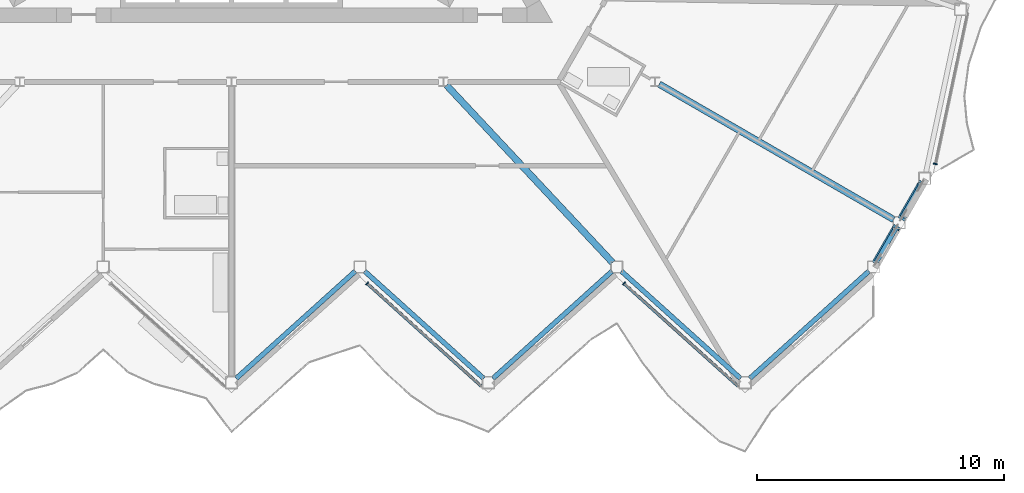
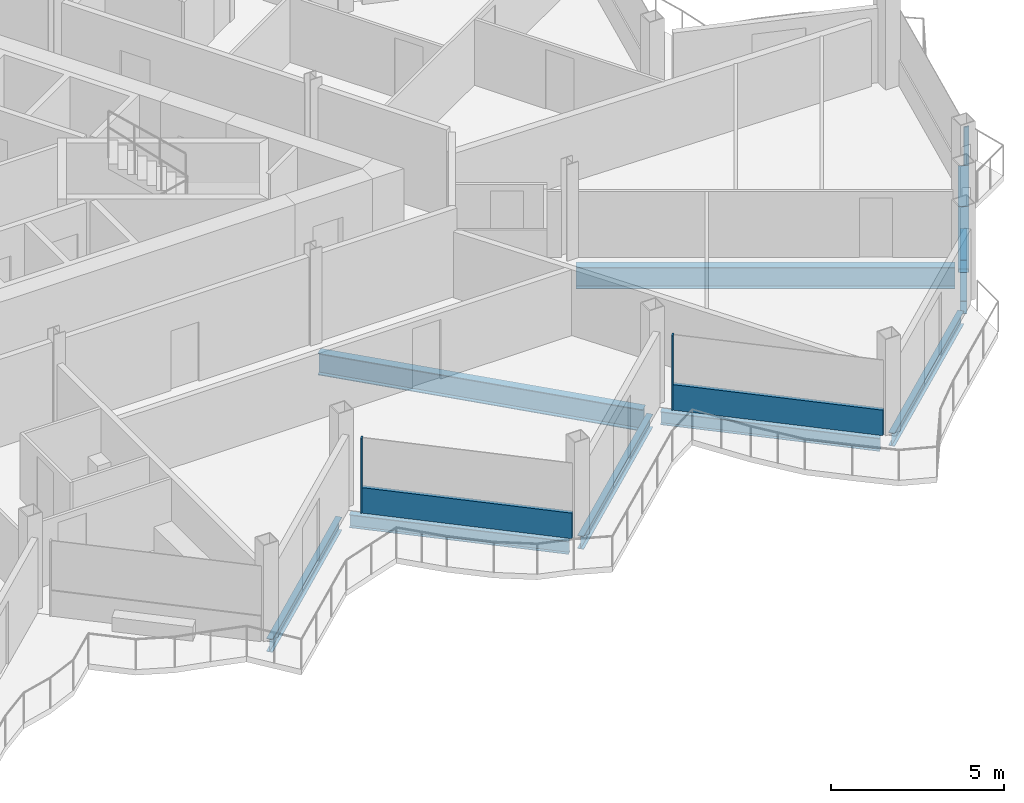
# One storey, part 7 of 26: 9 beams, 7 members, 3 elements without a shape of their own.
"""IFC4 building model written with IfcOpenShell, lengths in metres."""

from ifc_helpers import new_model, si_unit, direction, frame, origin, origin_2d, place, context, subcontext, project, spatial, rectangle, hollow_rectangle, i_section, extrude, material, layer, layer_set, material_profile, profile_set, type_object, element, aggregate, save


model = new_model("IFC4")

# Units and contexts
model_context = context("Model", 3, precision=1e-05, world=origin(), true_north=direction((0.0, 1.0)))
body_context = subcontext(model_context, "Body", "Model", "MODEL_VIEW")
ifc_project = project(units=[si_unit("LENGTHUNIT", "METRE"), si_unit("AREAUNIT", "SQUARE_METRE"), si_unit("VOLUMEUNIT", "CUBIC_METRE"), si_unit("PLANEANGLEUNIT", "RADIAN"), si_unit("MASSUNIT", "GRAM", prefix="KILO")], contexts=[model_context])

# Site, building, storey
site_placement = place(None, origin())
site = spatial("IfcSite", under=ifc_project, at=site_placement, CompositionType="ELEMENT")
building_placement = place(site_placement, origin())
building = spatial("IfcBuilding", under=site, at=building_placement, Name="Cormorant Prow Tower", CompositionType="ELEMENT")
storey_placement = place(building_placement, frame((0.0, 0.0, 381.39990234375)))
storey = spatial("IfcBuildingStorey", under=building, at=storey_placement, Name="L86", CompositionType="ELEMENT", Elevation=381.39990234375)

# Members
ifc_material_1 = material(Name="Structural steel ASTM A500 Gr C", Category="steel")
ifc_material_profile_1 = material_profile(ifc_material_1, hollow_rectangle(XDim=0.3046875, YDim=0.3046875, WallThickness=0.01171875, at=origin_2d()), Name="HSS12x12x1/2")
ifc_profile_set_1 = profile_set([ifc_material_profile_1], Name="Structural steel ASTM A500 Gr C")
member_type_1 = type_object("IfcMemberType", Name="Chamfer brace HSS12x12x1/2", PredefinedType="BRACE", material=ifc_profile_set_1)
member_1_placement = place(storey_placement, frame((26.123291015625, -17.192138671875, 0.770751953125), z_axis=(0.41132825952, 0.712359043209, 0.568641940485), x_axis=(-0.866000359435, 0.500043375578, 0.0)))
element("IfcMember", 1, at=member_1_placement, inside=storey, type_object=member_type_1, Name="Chamfer brace BR3 at ESE00 L86", PredefinedType="BRACE", context=body_context, shape_type="SweptSolid", body=[
    extrude(hollow_rectangle(XDim=0.3046875, YDim=0.3046875, WallThickness=0.01171875, at=origin_2d()), origin(), (0.0, 0.0, 1.0), 1.92138671875),
])
member_2_placement = place(storey_placement, frame((27.160400390625, -15.39599609375, 0.770751953125), z_axis=(0.411259909174, 0.712333680754, 0.568723143867), x_axis=(-0.866028632512, 0.499994407638, 0.0)))
element("IfcMember", 2, at=member_2_placement, inside=storey, type_object=member_type_1, Name="Chamfer brace BR3 at ESE01 L86", PredefinedType="BRACE", context=body_context, shape_type="SweptSolid", body=[
    extrude(hollow_rectangle(XDim=0.3046875, YDim=0.3046875, WallThickness=0.01171875, at=origin_2d()), origin(), (0.0, 0.0, 1.0), 1.921142578125),
])

# Beams
ifc_material_2 = material(Name="Structural steel ASTM A992 Gr 50", Category="steel")
ifc_material_profile_2 = material_profile(ifc_material_2, i_section(OverallWidth=0.267822265625, OverallDepth=0.77001953125, WebThickness=0.015625, FlangeThickness=0.025390625, at=origin_2d()), Name="W30x132")
ifc_profile_set_2 = profile_set([ifc_material_profile_2], Name="Structural steel ASTM A992 Gr 50")
beam_type_1 = type_object("IfcBeamType", Name="Radial floor beam W30x132", PredefinedType="BEAM", material=ifc_profile_set_2)
beam_1_placement = place(storey_placement, frame((8.706298828125, -10.0419921875, -0.684814453125), z_axis=(0.683430760659, -0.730015339144, 0.0), x_axis=(0.730015339144, 0.683430760659, 0.0)))
element("IfcBeam", 3, at=beam_1_placement, inside=storey, type_object=beam_type_1, Name="Radial floor beam FB3 8 L86", PredefinedType="BEAM", context=body_context, shape_type="SweptSolid", body=[
    extrude(i_section(OverallWidth=0.267822265625, OverallDepth=0.77001953125, WebThickness=0.015625, FlangeThickness=0.025390625, at=origin_2d()), origin(), (0.0, 0.0, 1.0), 9.8369140625),
])
beam_2_placement = place(storey_placement, frame((17.31884765625, -9.9990234375, -0.684814453125), z_axis=(0.866018830095, -0.500011385791, 0.0), x_axis=(0.500011385791, 0.866018830095, 0.0)))
element("IfcBeam", 4, at=beam_2_placement, inside=storey, type_object=beam_type_1, Name="Radial floor beam FB3 9 L86", PredefinedType="BEAM", context=body_context, shape_type="SweptSolid", body=[
    extrude(i_section(OverallWidth=0.267822265625, OverallDepth=0.77001953125, WebThickness=0.015625, FlangeThickness=0.025390625, at=origin_2d()), origin(), (0.0, 0.0, 1.0), 10.971435546875),
])

# Curtain wall, member
ifc_material_3 = material(Name="Aluminium 6063-T6", Category="aluminium")
ifc_layer = layer(ifc_material_3, 0.159912109375)
ifc_layer_set = layer_set([ifc_layer], Name="Aluminium 6063-T6")
curtain_wall_type = type_object("IfcCurtainWallType", Name="Residential unitised curtain wall 160", PredefinedType="NOTDEFINED", material=ifc_layer_set)
curtain_wall_1_placement = place(storey_placement, origin())
curtain_wall_1 = element("IfcCurtainWall", 5, at=curtain_wall_1_placement, inside=storey, type_object=curtain_wall_type, Name="Residential curtain wall S06", PredefinedType="NOTDEFINED")
ifc_material_4 = material(Name="Aluminium 6063-T6", Category="aluminium")
ifc_material_profile_3 = material_profile(ifc_material_4, rectangle(XDim=0.159912109375, YDim=0.050048828125, at=origin_2d()), Name="Residential mullion 50x160")
ifc_profile_set_3 = profile_set([ifc_material_profile_3], Name="Aluminium 6063-T6")
member_type_2 = type_object("IfcMemberType", Name="Residential mullion 50x160", PredefinedType="MULLION", material=ifc_profile_set_3)
member_3_placement = place(storey_placement, frame((5.490478515625, -18.0712890625, 0.0), z_axis=(0.0, 0.0, 1.0), x_axis=(0.669130603959, 0.743144827638, 0.0)))
member_3 = element("IfcMember", 6, at=member_3_placement, type_object=member_type_2, Name="Residential mullion S06", PredefinedType="MULLION", context=body_context, shape_type="SweptSolid", body=[
    extrude(rectangle(XDim=0.159912109375, YDim=0.050048828125, at=origin_2d()), origin(), (0.0, 0.0, 1.0), 2.634033203125),
])

curtain_wall_2_placement = place(storey_placement, origin())
curtain_wall_2 = element("IfcCurtainWall", 7, at=curtain_wall_2_placement, inside=storey, type_object=curtain_wall_type, Name="Residential curtain wall S08", PredefinedType="NOTDEFINED")
member_4_placement = place(storey_placement, frame((15.890625, -18.0712890625, 0.0), z_axis=(0.0, 0.0, 1.0), x_axis=(0.669130603959, 0.743144827638, 0.0)))
member_4 = element("IfcMember", 8, at=member_4_placement, type_object=member_type_2, Name="Residential mullion S08", PredefinedType="MULLION", context=body_context, shape_type="SweptSolid", body=[
    extrude(rectangle(XDim=0.159912109375, YDim=0.050048828125, at=origin_2d()), origin(), (0.0, 0.0, 1.0), 2.634033203125),
])

curtain_wall_3_placement = place(storey_placement, origin())
curtain_wall_3 = element("IfcCurtainWall", 9, at=curtain_wall_3_placement, inside=storey, type_object=curtain_wall_type, Name="Residential curtain wall ENE00", PredefinedType="NOTDEFINED")
member_5_placement = place(storey_placement, frame((28.5048828125, -13.2294921875, 0.0), z_axis=(0.0, 0.0, 1.0), x_axis=(-0.978147615768, 0.207911620089, 0.0)))
member_5 = element("IfcMember", 10, at=member_5_placement, type_object=member_type_2, Name="Residential mullion ENE00", PredefinedType="MULLION", context=body_context, shape_type="SweptSolid", body=[
    extrude(rectangle(XDim=0.159912109375, YDim=0.050048828125, at=origin_2d()), origin(), (0.0, 0.0, 1.0), 2.634033203125),
])
aggregate(curtain_wall_3, [member_5])

# Member
ifc_material_5 = material(Name="Terracotta", Category="masonry")
ifc_material_profile_4 = material_profile(ifc_material_5, rectangle(XDim=0.1201171875, YDim=0.89990234375, at=origin_2d()), Name="Residential terracotta spandrel rail 120x900")
ifc_profile_set_4 = profile_set([ifc_material_profile_4], Name="Terracotta")
member_type_3 = type_object("IfcMemberType", Name="Residential terracotta spandrel rail 120x900", PredefinedType="USERDEFINED", material=ifc_profile_set_4)
member_6_placement = place(storey_placement, frame((5.509033203125, -18.088134765625, 0.4501953125), z_axis=(0.743159360055, -0.669114463723, 0.0), x_axis=(0.669114463723, 0.743159360055, 0.0)))
member_6 = element("IfcMember", 11, at=member_6_placement, type_object=member_type_3, Name="Residential spandrel rail S06", ObjectType="TRANSOM", PredefinedType="USERDEFINED", context=body_context, shape_type="SweptSolid", body=[
    extrude(rectangle(XDim=0.1201171875, YDim=0.89990234375, at=origin_2d()), origin(), (0.0, 0.0, 1.0), 6.21533203125),
])

aggregate(curtain_wall_1, [member_3, member_6])

member_7_placement = place(storey_placement, frame((15.9091796875, -18.088134765625, 0.4501953125), z_axis=(0.743159360055, -0.669114463723, 0.0), x_axis=(0.669114463723, 0.743159360055, 0.0)))
member_7 = element("IfcMember", 12, at=member_7_placement, type_object=member_type_3, Name="Residential spandrel rail S08", ObjectType="TRANSOM", PredefinedType="USERDEFINED", context=body_context, shape_type="SweptSolid", body=[
    extrude(rectangle(XDim=0.1201171875, YDim=0.89990234375, at=origin_2d()), origin(), (0.0, 0.0, 1.0), 6.21533203125),
])

aggregate(curtain_wall_2, [member_4, member_7])

# Beams
ifc_material_6 = material(Name="Structural steel ASTM A992 Gr 50", Category="steel")
ifc_material_profile_5 = material_profile(ifc_material_6, i_section(OverallWidth=0.19287109375, OverallDepth=0.466064453125, WebThickness=0.011474609375, FlangeThickness=0.01904296875, at=origin_2d()), Name="W18x65")
ifc_profile_set_5 = profile_set([ifc_material_profile_5], Name="Structural steel ASTM A992 Gr 50")
beam_type_2 = type_object("IfcBeamType", Name="Spandrel beam W18x65", PredefinedType="SPANDREL", material=ifc_profile_set_5)
for number, where, z_axis, x_axis, name in (
    (13, (0.185791015625, -21.920654296875, -0.532958984375), (0.743131573737, 0.669145323614, 0.0), (-0.669145323614, 0.743131573737, 0.0), "Spandrel beam SB4 S05-S06 L86"),
    (14, (5.3857421875, -17.572998046875, -0.532958984375), (0.743131573737, -0.669145323614, 0.0), (0.669145323614, 0.743131573737, 0.0), "Spandrel beam SB4 S06-S07 L86"),
):
    element("IfcBeam", number, at=place(storey_placement, frame(where, z_axis=z_axis, x_axis=x_axis)), inside=storey, type_object=beam_type_2, Name=name, PredefinedType="SPANDREL", context=body_context, shape_type="SweptSolid", body=[
        extrude(i_section(OverallWidth=0.19287109375, OverallDepth=0.466064453125, WebThickness=0.011474609375, FlangeThickness=0.01904296875, at=origin_2d()), origin(), (0.0, 0.0, 1.0), 6.497314453125),
    ])
beam_3_placement = place(storey_placement, frame((10.585693359375, -21.920654296875, -0.532958984375), z_axis=(0.743148397689, 0.669126638995, 0.0), x_axis=(-0.669126638995, 0.743148397689, 0.0)))
element("IfcBeam", 15, at=beam_3_placement, inside=storey, type_object=beam_type_2, Name="Spandrel beam SB4 S07-S08 L86", PredefinedType="SPANDREL", context=body_context, shape_type="SweptSolid", body=[
    extrude(i_section(OverallWidth=0.19287109375, OverallDepth=0.466064453125, WebThickness=0.011474609375, FlangeThickness=0.01904296875, at=origin_2d()), origin(), (0.0, 0.0, 1.0), 6.49755859375),
])
for number, where, z_axis, x_axis, name in (
    (16, (15.785888671875, -17.572998046875, -0.532958984375), (0.743131573737, -0.669145323614, 0.0), (0.669145323614, 0.743131573737, 0.0), "Spandrel beam SB4 S08-S09 L86"),
    (17, (20.98583984375, -21.920654296875, -0.532958984375), (0.743131573737, 0.669145323614, 0.0), (-0.669145323614, 0.743131573737, 0.0), "Spandrel beam SB4 S09-ESE00 L86"),
):
    element("IfcBeam", number, at=place(storey_placement, frame(where, z_axis=z_axis, x_axis=x_axis)), inside=storey, type_object=beam_type_2, Name=name, PredefinedType="SPANDREL", context=body_context, shape_type="SweptSolid", body=[
        extrude(i_section(OverallWidth=0.19287109375, OverallDepth=0.466064453125, WebThickness=0.011474609375, FlangeThickness=0.01904296875, at=origin_2d()), origin(), (0.0, 0.0, 1.0), 6.497314453125),
    ])
for number, where, z_axis, x_axis, name in (
    (18, (26.125, -17.189208984375, -0.532958984375), (0.499959680857, 0.866048680801, 0.0), (-0.866048680801, 0.499959680857, 0.0), "Spandrel beam SB4 ESE00-ESE01 L86"),
    (19, (27.161865234375, -15.393310546875, -0.532958984375), (0.499959680857, 0.866048680801, 0.0), (-0.866048680801, 0.499959680857, 0.0), "Spandrel beam SB4 ESE01-ENE00 L86"),
):
    element("IfcBeam", number, at=place(storey_placement, frame(where, z_axis=z_axis, x_axis=x_axis)), inside=storey, type_object=beam_type_2, Name=name, PredefinedType="SPANDREL", context=body_context, shape_type="SweptSolid", body=[
        extrude(i_section(OverallWidth=0.19287109375, OverallDepth=0.466064453125, WebThickness=0.011474609375, FlangeThickness=0.01904296875, at=origin_2d()), origin(), (0.0, 0.0, 1.0), 1.573974609375),
    ])

save(model, "model.ifc")
